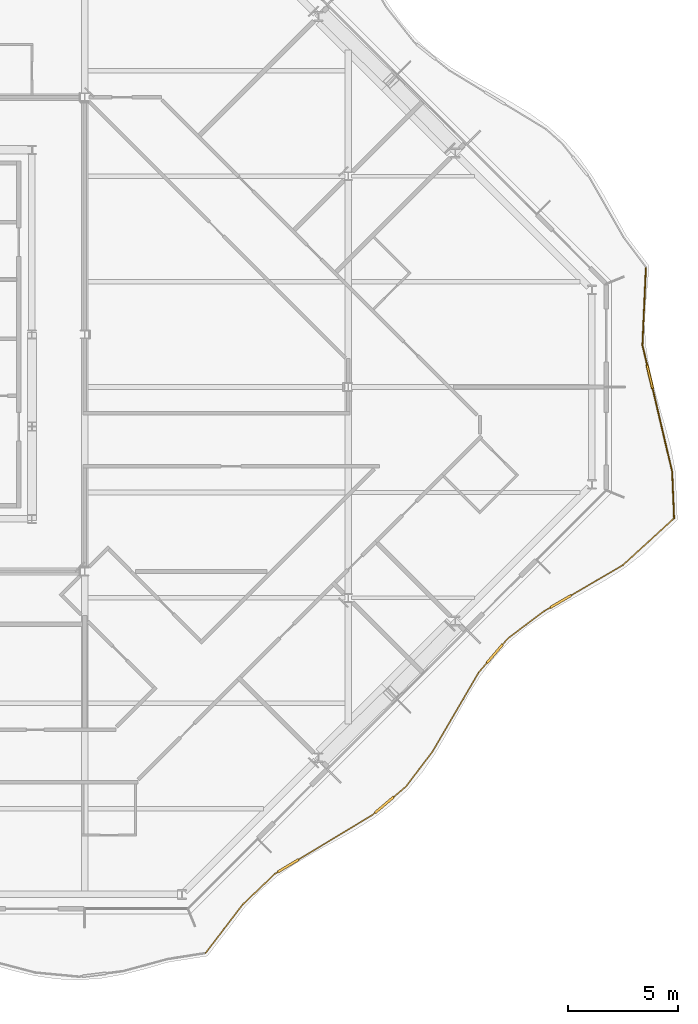
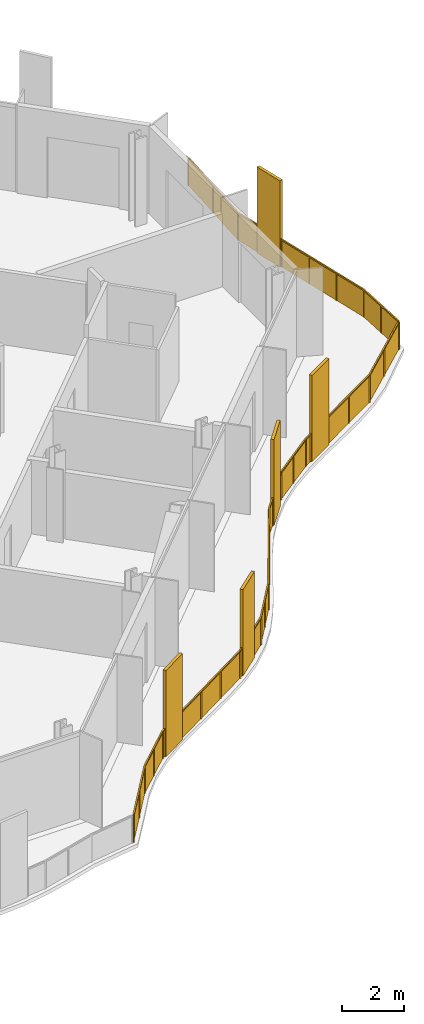
# One storey, part 15 of 17: 2 railings.
"""IFC4 building model written with IfcOpenShell, lengths in metres."""

from ifc_helpers import new_model, si_unit, direction, frame, origin, origin_2d, place, context, subcontext, project, spatial, polyline, rectangle, outline, extrude, material, type_object, element, save


model = new_model("IFC4")

# Units and contexts
model_context = context("Model", 3, precision=1e-05, world=origin(), true_north=direction((0.0, 1.0)))
body_context = subcontext(model_context, "Body", "Model", "MODEL_VIEW")
ifc_project = project(units=[si_unit("LENGTHUNIT", "METRE"), si_unit("AREAUNIT", "SQUARE_METRE"), si_unit("VOLUMEUNIT", "CUBIC_METRE"), si_unit("PLANEANGLEUNIT", "RADIAN"), si_unit("MASSUNIT", "GRAM", prefix="KILO")], contexts=[model_context])

# Site, building, storey
site_placement = place(None, origin())
site = spatial("IfcSite", under=ifc_project, at=site_placement, CompositionType="ELEMENT")
building_placement = place(site_placement, origin())
building = spatial("IfcBuilding", under=site, at=building_placement, Name="Cairn Pilgrim Tower", CompositionType="ELEMENT")
storey_placement = place(building_placement, frame((0.0, 0.0, 232.199951171875)))
storey = spatial("IfcBuildingStorey", under=building, at=storey_placement, Name="L59", CompositionType="ELEMENT", Elevation=232.199951171875)

# Railings
ifc_material = material(Name="Bronze anodised aluminium rail, posts and fin screens with laminated glass infill", Category="aluminium")
railing_type = type_object("IfcRailingType", Name="BALCONY GUARD WITH FIN SCREENS", PredefinedType="GUARDRAIL", material=ifc_material)
railing_1_placement = place(storey_placement, frame((24.708251953125, -25.770751953125, 0.0)))
element("IfcRailing", 1, at=railing_1_placement, inside=storey, type_object=railing_type, Name="Balcony guard BGF-2 with fin screens", PredefinedType="GUARDRAIL", context=body_context, shape_type="SweptSolid", body=[
    extrude(rectangle(XDim=0.050048828125, YDim=0.050048828125, at=origin_2d()), frame((0.0, 0.0, 1.0751953125), z_axis=(0.60742401953, 0.794377781977, 0.0), x_axis=(-0.794377781977, 0.60742401953, 0.0)), (0.0, 0.0, 1.0), 2.77880859375),
    extrude(rectangle(XDim=0.050048828125, YDim=0.050048828125, at=origin_2d()), frame((1.68798828125, 2.20751953125, 1.0751953125), z_axis=(0.724129393212, 0.689664137016, 0.0), x_axis=(-0.689664137016, 0.724129393212, 0.0)), (0.0, 0.0, 1.0), 2.0400390625),
    extrude(rectangle(XDim=1.10009765625, YDim=0.110107421875, at=origin_2d()), frame((3.7646484375, 3.97607421875, 0.0), z_axis=(0.0, 0.0, 1.0), x_axis=(0.856327339313, 0.516433430313, 0.0)), (0.0, 0.0, 1.0), 3.39990234375),
    extrude(rectangle(XDim=0.050048828125, YDim=0.050048828125, at=origin_2d()), frame((3.165283203125, 3.614501953125, 1.0751953125), z_axis=(0.856327339313, 0.516433430313, 0.0), x_axis=(-0.516433430313, 0.856327339313, 0.0)), (0.0, 0.0, 1.0), 0.14990234375),
    extrude(rectangle(XDim=0.050048828125, YDim=0.050048828125, at=origin_2d()), frame((4.235595703125, 4.260009765625, 1.0751953125), z_axis=(0.856327339313, 0.516433430313, 0.0), x_axis=(-0.516433430313, 0.856327339313, 0.0)), (0.0, 0.0, 1.0), 3.9345703125),
    extrude(rectangle(XDim=1.10009765625, YDim=0.110107421875, at=origin_2d()), frame((8.138916015625, 6.74462890625, 0.0), z_axis=(0.0, 0.0, 1.0), x_axis=(0.762925345558, 0.646486594684, 0.0)), (0.0, 0.0, 1.0), 3.39990234375),
    extrude(rectangle(XDim=0.050048828125, YDim=0.050048828125, at=origin_2d()), frame((7.60498046875, 6.2919921875, 1.0751953125), z_axis=(0.762925345558, 0.646486594684, 0.0), x_axis=(-0.646486594684, 0.762925345558, 0.0)), (0.0, 0.0, 1.0), 0.14990234375),
    extrude(rectangle(XDim=0.050048828125, YDim=0.050048828125, at=origin_2d()), frame((8.55859375, 7.10009765625, 1.0751953125), z_axis=(0.762925345558, 0.646486594684, 0.0), x_axis=(-0.646486594684, 0.762925345558, 0.0)), (0.0, 0.0, 1.0), 0.73974609375),
    extrude(rectangle(XDim=0.050048828125, YDim=0.050048828125, at=origin_2d()), frame((9.123046875, 7.578369140625, 1.0751953125), z_axis=(0.604511770839, 0.796596208199, 0.0), x_axis=(-0.796596208199, 0.604511770839, 0.0)), (0.0, 0.0, 1.0), 2.00439453125),
    extrude(rectangle(XDim=0.050048828125, YDim=0.050048828125, at=origin_2d()), frame((10.334716796875, 9.175048828125, 1.0751953125), z_axis=(0.503860089451, 0.863785280182, 0.0), x_axis=(-0.863785280182, 0.503860089451, 0.0)), (0.0, 0.0, 1.0), 4.1640625),
    extrude(rectangle(XDim=1.10009765625, YDim=0.110107421875, at=origin_2d()), frame((13.16748046875, 13.63037109375, 0.0), z_axis=(0.0, 0.0, 1.0), x_axis=(0.650251092348, 0.759719367201, 0.0)), (0.0, 0.0, 1.0), 3.39990234375),
    extrude(rectangle(XDim=0.050048828125, YDim=0.050048828125, at=origin_2d()), frame((12.432861328125, 12.77197265625, 1.0751953125), z_axis=(0.650251092348, 0.759719367201, 0.0), x_axis=(-0.759719367201, 0.650251092348, 0.0)), (0.0, 0.0, 1.0), 0.579833984375),
    extrude(rectangle(XDim=0.050048828125, YDim=0.050048828125, at=origin_2d()), frame((13.525146484375, 14.048095703125, 1.0751953125), z_axis=(0.650251092348, 0.759719367201, 0.0), x_axis=(-0.759719367201, 0.650251092348, 0.0)), (0.0, 0.0, 1.0), 0.36767578125),
    extrude(rectangle(XDim=0.050048828125, YDim=0.050048828125, at=origin_2d()), frame((13.76416015625, 14.327392578125, 1.0751953125), z_axis=(0.799201515921, 0.601063172179, 0.0), x_axis=(-0.601063172179, 0.799201515921, 0.0)), (0.0, 0.0, 1.0), 2.056396484375),
    extrude(rectangle(XDim=1.10009765625, YDim=0.110107421875, at=origin_2d()), frame((16.169921875, 16.008544921875, 0.0), z_axis=(0.0, 0.0, 1.0), x_axis=(0.863529260991, 0.504298736279, 0.0)), (0.0, 0.0, 1.0), 3.39990234375),
    extrude(rectangle(XDim=0.050048828125, YDim=0.050048828125, at=origin_2d()), frame((15.40771484375, 15.5634765625, 1.0751953125), z_axis=(0.863529260991, 0.504298736279, 0.0), x_axis=(-0.504298736279, 0.863529260991, 0.0)), (0.0, 0.0, 1.0), 0.332763671875),
    extrude(rectangle(XDim=0.050048828125, YDim=0.050048828125, at=origin_2d()), frame((16.64501953125, 16.285888671875, 1.0751953125), z_axis=(0.863529260991, 0.504298736279, 0.0), x_axis=(-0.504298736279, 0.863529260991, 0.0)), (0.0, 0.0, 1.0), 2.718994140625),
    extrude(rectangle(XDim=0.050048828125, YDim=0.050048828125, at=origin_2d()), frame((18.992919921875, 17.6572265625, 1.0751953125), z_axis=(0.738199767874, 0.674582168983, 0.0), x_axis=(-0.674582168983, 0.738199767874, 0.0)), (0.0, 0.0, 1.0), 3.1083984375),
    extrude(rectangle(XDim=0.050048828125, YDim=0.050048828125, at=origin_2d()), origin(), (0.0, 0.0, 1.0), 1.050048828125),
    extrude(rectangle(XDim=0.050048828125, YDim=0.050048828125, at=origin_2d()), frame((0.843994140625, 1.103759765625, 0.0)), (0.0, 0.0, 1.0), 1.050048828125),
    extrude(rectangle(XDim=0.050048828125, YDim=0.050048828125, at=origin_2d()), frame((1.68798828125, 2.20751953125, 0.0)), (0.0, 0.0, 1.0), 1.050048828125),
    extrude(rectangle(XDim=0.050048828125, YDim=0.050048828125, at=origin_2d()), frame((2.4267578125, 2.9111328125, 0.0)), (0.0, 0.0, 1.0), 1.050048828125),
    extrude(rectangle(XDim=0.050048828125, YDim=0.050048828125, at=origin_2d()), frame((3.165283203125, 3.614501953125, 0.0)), (0.0, 0.0, 1.0), 1.050048828125),
    extrude(rectangle(XDim=0.050048828125, YDim=0.050048828125, at=origin_2d()), frame((3.272216796875, 3.678955078125, 0.0)), (0.0, 0.0, 1.0), 1.050048828125),
    extrude(rectangle(XDim=0.050048828125, YDim=0.050048828125, at=origin_2d()), frame((4.257080078125, 4.27294921875, 0.0)), (0.0, 0.0, 1.0), 1.050048828125),
    extrude(rectangle(XDim=0.050048828125, YDim=0.050048828125, at=origin_2d()), frame((5.373046875, 4.946044921875, 0.0)), (0.0, 0.0, 1.0), 1.050048828125),
    extrude(rectangle(XDim=0.050048828125, YDim=0.050048828125, at=origin_2d()), frame((6.489013671875, 5.618896484375, 0.0)), (0.0, 0.0, 1.0), 1.050048828125),
    extrude(rectangle(XDim=0.050048828125, YDim=0.050048828125, at=origin_2d()), frame((7.60498046875, 6.2919921875, 0.0)), (0.0, 0.0, 1.0), 1.050048828125),
    extrude(rectangle(XDim=0.050048828125, YDim=0.050048828125, at=origin_2d()), frame((7.700439453125, 6.372802734375, 0.0)), (0.0, 0.0, 1.0), 1.050048828125),
    extrude(rectangle(XDim=0.050048828125, YDim=0.050048828125, at=origin_2d()), frame((8.57763671875, 7.1162109375, 0.0)), (0.0, 0.0, 1.0), 1.050048828125),
    extrude(rectangle(XDim=0.050048828125, YDim=0.050048828125, at=origin_2d()), frame((9.123046875, 7.578369140625, 0.0)), (0.0, 0.0, 1.0), 1.050048828125),
    extrude(rectangle(XDim=0.050048828125, YDim=0.050048828125, at=origin_2d()), frame((9.72900390625, 8.376708984375, 0.0)), (0.0, 0.0, 1.0), 1.050048828125),
    extrude(rectangle(XDim=0.050048828125, YDim=0.050048828125, at=origin_2d()), frame((10.334716796875, 9.175048828125, 0.0)), (0.0, 0.0, 1.0), 1.050048828125),
    extrude(rectangle(XDim=0.050048828125, YDim=0.050048828125, at=origin_2d()), frame((11.0341796875, 10.3740234375, 0.0)), (0.0, 0.0, 1.0), 1.050048828125),
    extrude(rectangle(XDim=0.050048828125, YDim=0.050048828125, at=origin_2d()), frame((11.7333984375, 11.572998046875, 0.0)), (0.0, 0.0, 1.0), 1.050048828125),
    extrude(rectangle(XDim=0.050048828125, YDim=0.050048828125, at=origin_2d()), frame((12.432861328125, 12.77197265625, 0.0)), (0.0, 0.0, 1.0), 1.050048828125),
    extrude(rectangle(XDim=0.050048828125, YDim=0.050048828125, at=origin_2d()), frame((12.793701171875, 13.193359375, 0.0)), (0.0, 0.0, 1.0), 1.050048828125),
    extrude(rectangle(XDim=0.050048828125, YDim=0.050048828125, at=origin_2d()), frame((13.54150390625, 14.067138671875, 0.0)), (0.0, 0.0, 1.0), 1.050048828125),
    extrude(rectangle(XDim=0.050048828125, YDim=0.050048828125, at=origin_2d()), frame((13.76416015625, 14.327392578125, 0.0)), (0.0, 0.0, 1.0), 1.050048828125),
    extrude(rectangle(XDim=0.050048828125, YDim=0.050048828125, at=origin_2d()), frame((14.5859375, 14.9453125, 0.0)), (0.0, 0.0, 1.0), 1.050048828125),
    extrude(rectangle(XDim=0.050048828125, YDim=0.050048828125, at=origin_2d()), frame((15.40771484375, 15.5634765625, 0.0)), (0.0, 0.0, 1.0), 1.050048828125),
    extrude(rectangle(XDim=0.050048828125, YDim=0.050048828125, at=origin_2d()), frame((15.67333984375, 15.71875, 0.0)), (0.0, 0.0, 1.0), 1.050048828125),
    extrude(rectangle(XDim=0.050048828125, YDim=0.050048828125, at=origin_2d()), frame((16.66650390625, 16.298583984375, 0.0)), (0.0, 0.0, 1.0), 1.050048828125),
    extrude(rectangle(XDim=0.050048828125, YDim=0.050048828125, at=origin_2d()), frame((17.829833984375, 16.97802734375, 0.0)), (0.0, 0.0, 1.0), 1.050048828125),
    extrude(rectangle(XDim=0.050048828125, YDim=0.050048828125, at=origin_2d()), frame((18.992919921875, 17.6572265625, 0.0)), (0.0, 0.0, 1.0), 1.050048828125),
    extrude(rectangle(XDim=0.050048828125, YDim=0.050048828125, at=origin_2d()), frame((20.14013671875, 18.70556640625, 0.0)), (0.0, 0.0, 1.0), 1.050048828125),
    extrude(rectangle(XDim=0.050048828125, YDim=0.050048828125, at=origin_2d()), frame((21.28759765625, 19.754150390625, 0.0)), (0.0, 0.0, 1.0), 1.050048828125),
    extrude(outline(polyline([(0.02490234375, 0.0), (1.364501953125, 0.0), (1.364501953125, 1.050048828125), (0.02490234375, 1.050048828125), (0.02490234375, 0.0)])), frame((-0.004638671875, 0.003662109375, 0.0), z_axis=(0.794377781977, -0.60742401953, 0.0), x_axis=(0.60742401953, 0.794377781977, 0.0)), (0.0, 0.0, 1.0), 0.011962890625),
    extrude(outline(polyline([(0.02490234375, 0.0), (1.364501953125, 0.0), (1.364501953125, 1.050048828125), (0.02490234375, 1.050048828125), (0.02490234375, 0.0)])), frame((0.83935546875, 1.107421875, 0.0), z_axis=(0.794377781977, -0.60742401953, 0.0), x_axis=(0.60742401953, 0.794377781977, 0.0)), (0.0, 0.0, 1.0), 0.011962890625),
    extrude(outline(polyline([(0.02490234375, 0.0), (0.9951171875, 0.0), (0.9951171875, 1.050048828125), (0.02490234375, 1.050048828125), (0.02490234375, 0.0)])), frame((1.683837890625, 2.2119140625, 0.0), z_axis=(0.689664137016, -0.724129393212, 0.0), x_axis=(0.724129393212, 0.689664137016, 0.0)), (0.0, 0.0, 1.0), 0.011962890625),
    extrude(outline(polyline([(0.02490234375, 0.0), (0.9951171875, 0.0), (0.9951171875, 1.050048828125), (0.02490234375, 1.050048828125), (0.02490234375, 0.0)])), frame((2.422607421875, 2.915283203125, 0.0), z_axis=(0.689664137016, -0.724129393212, 0.0), x_axis=(0.724129393212, 0.689664137016, 0.0)), (0.0, 0.0, 1.0), 0.011962890625),
    extrude(outline(polyline([(0.02490234375, 0.0), (0.099853515625, 0.0), (0.099853515625, 1.050048828125), (0.02490234375, 1.050048828125), (0.02490234375, 0.0)])), frame((3.162109375, 3.61962890625, 0.0), z_axis=(0.516433430313, -0.856327339313, 0.0), x_axis=(0.856327339313, 0.516433430313, 0.0)), (0.0, 0.0, 1.0), 0.011962890625),
    extrude(outline(polyline([(0.02490234375, 0.0), (1.278076171875, 0.0), (1.278076171875, 1.050048828125), (0.02490234375, 1.050048828125), (0.02490234375, 0.0)])), frame((4.25390625, 4.278076171875, 0.0), z_axis=(0.516433430313, -0.856327339313, 0.0), x_axis=(0.856327339313, 0.516433430313, 0.0)), (0.0, 0.0, 1.0), 0.011962890625),
    extrude(outline(polyline([(0.02490234375, 0.0), (1.278076171875, 0.0), (1.278076171875, 1.050048828125), (0.02490234375, 1.050048828125), (0.02490234375, 0.0)])), frame((5.369873046875, 4.951171875, 0.0), z_axis=(0.516433430313, -0.856327339313, 0.0), x_axis=(0.856327339313, 0.516433430313, 0.0)), (0.0, 0.0, 1.0), 0.011962890625),
    extrude(outline(polyline([(0.02490234375, 0.0), (1.278076171875, 0.0), (1.278076171875, 1.050048828125), (0.02490234375, 1.050048828125), (0.02490234375, 0.0)])), frame((6.48583984375, 5.6240234375, 0.0), z_axis=(0.516433430313, -0.856327339313, 0.0), x_axis=(0.856327339313, 0.516433430313, 0.0)), (0.0, 0.0, 1.0), 0.011962890625),
    extrude(outline(polyline([(0.02490234375, 0.0), (0.099853515625, 0.0), (0.099853515625, 1.050048828125), (0.02490234375, 1.050048828125), (0.02490234375, 0.0)])), frame((7.60107421875, 6.296630859375, 0.0), z_axis=(0.646486594684, -0.762925345558, 0.0), x_axis=(0.762925345558, 0.646486594684, 0.0)), (0.0, 0.0, 1.0), 0.011962890625),
    extrude(outline(polyline([(0.02490234375, 0.0), (0.689697265625, 0.0), (0.689697265625, 1.050048828125), (0.02490234375, 1.050048828125), (0.02490234375, 0.0)])), frame((8.573974609375, 7.120849609375, 0.0), z_axis=(0.646486594684, -0.762925345558, 0.0), x_axis=(0.762925345558, 0.646486594684, 0.0)), (0.0, 0.0, 1.0), 0.011962890625),
    extrude(outline(polyline([(0.02490234375, 0.0), (0.97705078125, 0.0), (0.97705078125, 1.050048828125), (0.02490234375, 1.050048828125), (0.02490234375, 0.0)])), frame((9.1181640625, 7.58203125, 0.0), z_axis=(0.796596208199, -0.604511770839, 0.0), x_axis=(0.604511770839, 0.796596208199, 0.0)), (0.0, 0.0, 1.0), 0.011962890625),
    extrude(outline(polyline([(0.02490234375, 0.0), (0.97705078125, 0.0), (0.97705078125, 1.050048828125), (0.02490234375, 1.050048828125), (0.02490234375, 0.0)])), frame((9.72412109375, 8.38037109375, 0.0), z_axis=(0.796596208199, -0.604511770839, 0.0), x_axis=(0.604511770839, 0.796596208199, 0.0)), (0.0, 0.0, 1.0), 0.011962890625),
    extrude(outline(polyline([(0.02490234375, 0.0), (1.363037109375, 0.0), (1.363037109375, 1.050048828125), (0.02490234375, 1.050048828125), (0.02490234375, 0.0)])), frame((10.32958984375, 9.177978515625, 0.0), z_axis=(0.863785280182, -0.503860089451, 0.0), x_axis=(0.503860089451, 0.863785280182, 0.0)), (0.0, 0.0, 1.0), 0.011962890625),
    extrude(outline(polyline([(0.02490234375, 0.0), (1.363037109375, 0.0), (1.363037109375, 1.050048828125), (0.02490234375, 1.050048828125), (0.02490234375, 0.0)])), frame((11.029052734375, 10.376953125, 0.0), z_axis=(0.863785280182, -0.503860089451, 0.0), x_axis=(0.503860089451, 0.863785280182, 0.0)), (0.0, 0.0, 1.0), 0.011962890625),
    extrude(outline(polyline([(0.02490234375, 0.0), (1.363037109375, 0.0), (1.363037109375, 1.050048828125), (0.02490234375, 1.050048828125), (0.02490234375, 0.0)])), frame((11.728271484375, 11.575927734375, 0.0), z_axis=(0.863785280182, -0.503860089451, 0.0), x_axis=(0.503860089451, 0.863785280182, 0.0)), (0.0, 0.0, 1.0), 0.011962890625),
    extrude(outline(polyline([(0.02490234375, 0.0), (0.52978515625, 0.0), (0.52978515625, 1.050048828125), (0.02490234375, 1.050048828125), (0.02490234375, 0.0)])), frame((12.42822265625, 12.77587890625, 0.0), z_axis=(0.759719367201, -0.650251092348, 0.0), x_axis=(0.650251092348, 0.759719367201, 0.0)), (0.0, 0.0, 1.0), 0.011962890625),
    extrude(outline(polyline([(0.02490234375, 0.0), (0.317626953125, 0.0), (0.317626953125, 1.050048828125), (0.02490234375, 1.050048828125), (0.02490234375, 0.0)])), frame((13.536865234375, 14.071044921875, 0.0), z_axis=(0.759719367201, -0.650251092348, 0.0), x_axis=(0.650251092348, 0.759719367201, 0.0)), (0.0, 0.0, 1.0), 0.011962890625),
    extrude(outline(polyline([(0.02490234375, 0.0), (1.003173828125, 0.0), (1.003173828125, 1.050048828125), (0.02490234375, 1.050048828125), (0.02490234375, 0.0)])), frame((13.760498046875, 14.332275390625, 0.0), z_axis=(0.601063172179, -0.799201515921, 0.0), x_axis=(0.799201515921, 0.601063172179, 0.0)), (0.0, 0.0, 1.0), 0.011962890625),
    extrude(outline(polyline([(0.02490234375, 0.0), (1.003173828125, 0.0), (1.003173828125, 1.050048828125), (0.02490234375, 1.050048828125), (0.02490234375, 0.0)])), frame((14.582275390625, 14.9501953125, 0.0), z_axis=(0.601063172179, -0.799201515921, 0.0), x_axis=(0.799201515921, 0.601063172179, 0.0)), (0.0, 0.0, 1.0), 0.011962890625),
    extrude(outline(polyline([(0.02490234375, 0.0), (0.28271484375, 0.0), (0.28271484375, 1.050048828125), (0.02490234375, 1.050048828125), (0.02490234375, 0.0)])), frame((15.40478515625, 15.568603515625, 0.0), z_axis=(0.504298736279, -0.863529260991, 0.0), x_axis=(0.863529260991, 0.504298736279, 0.0)), (0.0, 0.0, 1.0), 0.011962890625),
    extrude(outline(polyline([(0.02490234375, 0.0), (1.322021484375, 0.0), (1.322021484375, 1.050048828125), (0.02490234375, 1.050048828125), (0.02490234375, 0.0)])), frame((16.66357421875, 16.3037109375, 0.0), z_axis=(0.504298736279, -0.863529260991, 0.0), x_axis=(0.863529260991, 0.504298736279, 0.0)), (0.0, 0.0, 1.0), 0.011962890625),
    extrude(outline(polyline([(0.02490234375, 0.0), (1.322021484375, 0.0), (1.322021484375, 1.050048828125), (0.02490234375, 1.050048828125), (0.02490234375, 0.0)])), frame((17.82666015625, 16.983154296875, 0.0), z_axis=(0.504298736279, -0.863529260991, 0.0), x_axis=(0.863529260991, 0.504298736279, 0.0)), (0.0, 0.0, 1.0), 0.011962890625),
    extrude(outline(polyline([(0.02490234375, 0.0), (1.529296875, 0.0), (1.529296875, 1.050048828125), (0.02490234375, 1.050048828125), (0.02490234375, 0.0)])), frame((18.98876953125, 17.66162109375, 0.0), z_axis=(0.674582168983, -0.738199767874, 0.0), x_axis=(0.738199767874, 0.674582168983, 0.0)), (0.0, 0.0, 1.0), 0.011962890625),
    extrude(outline(polyline([(0.02490234375, 0.0), (1.529296875, 0.0), (1.529296875, 1.050048828125), (0.02490234375, 1.050048828125), (0.02490234375, 0.0)])), frame((20.13623046875, 18.710205078125, 0.0), z_axis=(0.674582168983, -0.738199767874, 0.0), x_axis=(0.738199767874, 0.674582168983, 0.0)), (0.0, 0.0, 1.0), 0.011962890625),
])
railing_2_placement = place(storey_placement, frame((46.0400390625, -5.97607421875, 0.0)))
element("IfcRailing", 2, at=railing_2_placement, inside=storey, type_object=railing_type, Name="Balcony guard BGF-3 with fin screens", PredefinedType="GUARDRAIL", context=body_context, shape_type="SweptSolid", body=[
    extrude(rectangle(XDim=0.050048828125, YDim=0.050048828125, at=origin_2d()), frame((0.0, 0.0, 1.0751953125), z_axis=(-0.04104546407, 0.999157279851, 0.0), x_axis=(-0.999157279851, -0.04104546407, 0.0)), (0.0, 0.0, 1.0), 2.117431640625),
    extrude(rectangle(XDim=1.10009765625, YDim=0.110107421875, at=origin_2d()), frame((-1.103515625, 6.44287109375, 0.0), z_axis=(0.0, 0.0, 1.0), x_axis=(-0.228710804266, 0.973494410879, 0.0)), (0.0, 0.0, 1.0), 3.39990234375),
    extrude(rectangle(XDim=0.050048828125, YDim=0.050048828125, at=origin_2d()), frame((-0.0869140625, 2.11572265625, 1.0751953125), z_axis=(-0.228710804266, 0.973494410879, 0.0), x_axis=(-0.973494410879, -0.228710804266, 0.0)), (0.0, 0.0, 1.0), 3.894775390625),
    extrude(rectangle(XDim=0.050048828125, YDim=0.050048828125, at=origin_2d()), frame((-1.229248046875, 6.978271484375, 1.0751953125), z_axis=(-0.228710804266, 0.973494410879, 0.0), x_axis=(-0.973494410879, -0.228710804266, 0.0)), (0.0, 0.0, 1.0), 0.928466796875),
    extrude(rectangle(XDim=0.050048828125, YDim=0.050048828125, at=origin_2d()), frame((-1.441650390625, 7.882080078125, 1.0751953125), z_axis=(0.044730261505, 0.998999100953, 0.0), x_axis=(-0.998999100953, 0.044730261505, 0.0)), (0.0, 0.0, 1.0), 3.49853515625),
    extrude(rectangle(XDim=0.050048828125, YDim=0.050048828125, at=origin_2d()), origin(), (0.0, 0.0, 1.0), 1.050048828125),
    extrude(rectangle(XDim=0.050048828125, YDim=0.050048828125, at=origin_2d()), frame((-0.04345703125, 1.057861328125, 0.0)), (0.0, 0.0, 1.0), 1.050048828125),
    extrude(rectangle(XDim=0.050048828125, YDim=0.050048828125, at=origin_2d()), frame((-0.0869140625, 2.11572265625, 0.0)), (0.0, 0.0, 1.0), 1.050048828125),
    extrude(rectangle(XDim=0.050048828125, YDim=0.050048828125, at=origin_2d()), frame((-0.3818359375, 3.37158203125, 0.0)), (0.0, 0.0, 1.0), 1.050048828125),
    extrude(rectangle(XDim=0.050048828125, YDim=0.050048828125, at=origin_2d()), frame((-0.677001953125, 4.627197265625, 0.0)), (0.0, 0.0, 1.0), 1.050048828125),
    extrude(rectangle(XDim=0.050048828125, YDim=0.050048828125, at=origin_2d()), frame((-0.971923828125, 5.883056640625, 0.0)), (0.0, 0.0, 1.0), 1.050048828125),
    extrude(rectangle(XDim=0.050048828125, YDim=0.050048828125, at=origin_2d()), frame((-1.235107421875, 7.002685546875, 0.0)), (0.0, 0.0, 1.0), 1.050048828125),
    extrude(rectangle(XDim=0.050048828125, YDim=0.050048828125, at=origin_2d()), frame((-1.441650390625, 7.882080078125, 0.0)), (0.0, 0.0, 1.0), 1.050048828125),
    extrude(rectangle(XDim=0.050048828125, YDim=0.050048828125, at=origin_2d()), frame((-1.36328125, 9.629638671875, 0.0)), (0.0, 0.0, 1.0), 1.050048828125),
    extrude(rectangle(XDim=0.050048828125, YDim=0.050048828125, at=origin_2d()), frame((-1.28515625, 11.377197265625, 0.0)), (0.0, 0.0, 1.0), 1.050048828125),
    extrude(outline(polyline([(0.02490234375, 0.0), (1.03369140625, 0.0), (1.03369140625, 1.050048828125), (0.02490234375, 1.050048828125), (0.02490234375, 0.0)])), frame((-0.005859375, -0.000244140625, 0.0), z_axis=(0.999157279851, 0.04104546407, 0.0), x_axis=(-0.04104546407, 0.999157279851, 0.0)), (0.0, 0.0, 1.0), 0.011962890625),
    extrude(outline(polyline([(0.02490234375, 0.0), (1.03369140625, 0.0), (1.03369140625, 1.050048828125), (0.02490234375, 1.050048828125), (0.02490234375, 0.0)])), frame((-0.04931640625, 1.0576171875, 0.0), z_axis=(0.999157279851, 0.04104546407, 0.0), x_axis=(-0.04104546407, 0.999157279851, 0.0)), (0.0, 0.0, 1.0), 0.011962890625),
    extrude(outline(polyline([(0.02490234375, 0.0), (1.264892578125, 0.0), (1.264892578125, 1.050048828125), (0.02490234375, 1.050048828125), (0.02490234375, 0.0)])), frame((-0.0927734375, 2.1142578125, 0.0), z_axis=(0.973494410879, 0.228710804266, 0.0), x_axis=(-0.228710804266, 0.973494410879, 0.0)), (0.0, 0.0, 1.0), 0.011962890625),
    extrude(outline(polyline([(0.02490234375, 0.0), (1.264892578125, 0.0), (1.264892578125, 1.050048828125), (0.02490234375, 1.050048828125), (0.02490234375, 0.0)])), frame((-0.3876953125, 3.3701171875, 0.0), z_axis=(0.973494410879, 0.228710804266, 0.0), x_axis=(-0.228710804266, 0.973494410879, 0.0)), (0.0, 0.0, 1.0), 0.011962890625),
    extrude(outline(polyline([(0.02490234375, 0.0), (1.264892578125, 0.0), (1.264892578125, 1.050048828125), (0.02490234375, 1.050048828125), (0.02490234375, 0.0)])), frame((-0.682861328125, 4.6259765625, 0.0), z_axis=(0.973494410879, 0.228710804266, 0.0), x_axis=(-0.228710804266, 0.973494410879, 0.0)), (0.0, 0.0, 1.0), 0.011962890625),
    extrude(outline(polyline([(0.02490234375, 0.0), (0.87841796875, 0.0), (0.87841796875, 1.050048828125), (0.02490234375, 1.050048828125), (0.02490234375, 0.0)])), frame((-1.240966796875, 7.001220703125, 0.0), z_axis=(0.973494410879, 0.228710804266, 0.0), x_axis=(-0.228710804266, 0.973494410879, 0.0)), (0.0, 0.0, 1.0), 0.011962890625),
    extrude(outline(polyline([(0.02490234375, 0.0), (1.724365234375, 0.0), (1.724365234375, 1.050048828125), (0.02490234375, 1.050048828125), (0.02490234375, 0.0)])), frame((-1.447509765625, 7.88232421875, 0.0), z_axis=(0.998999100953, -0.044730261505, 0.0), x_axis=(0.044730261505, 0.998999100953, 0.0)), (0.0, 0.0, 1.0), 0.011962890625),
    extrude(outline(polyline([(0.02490234375, 0.0), (1.724365234375, 0.0), (1.724365234375, 1.050048828125), (0.02490234375, 1.050048828125), (0.02490234375, 0.0)])), frame((-1.369384765625, 9.6298828125, 0.0), z_axis=(0.998999100953, -0.044730261505, 0.0), x_axis=(0.044730261505, 0.998999100953, 0.0)), (0.0, 0.0, 1.0), 0.011962890625),
])

save(model, "model.ifc")
